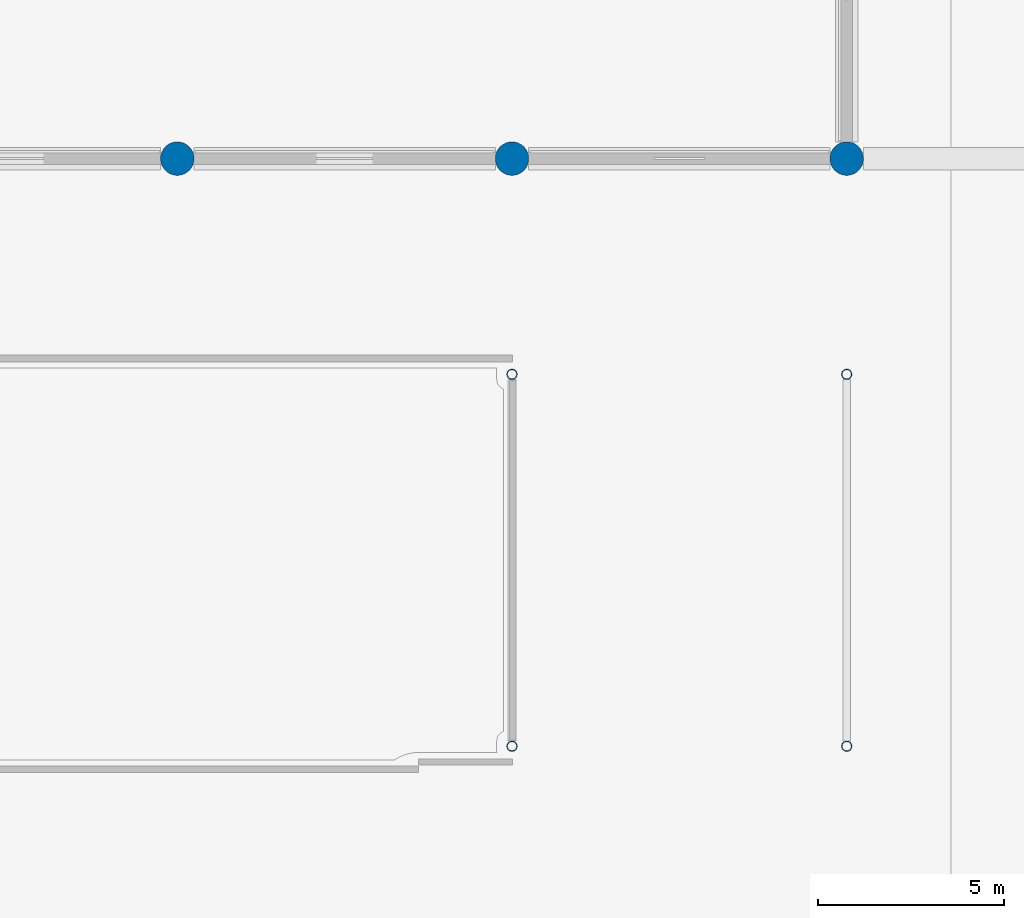
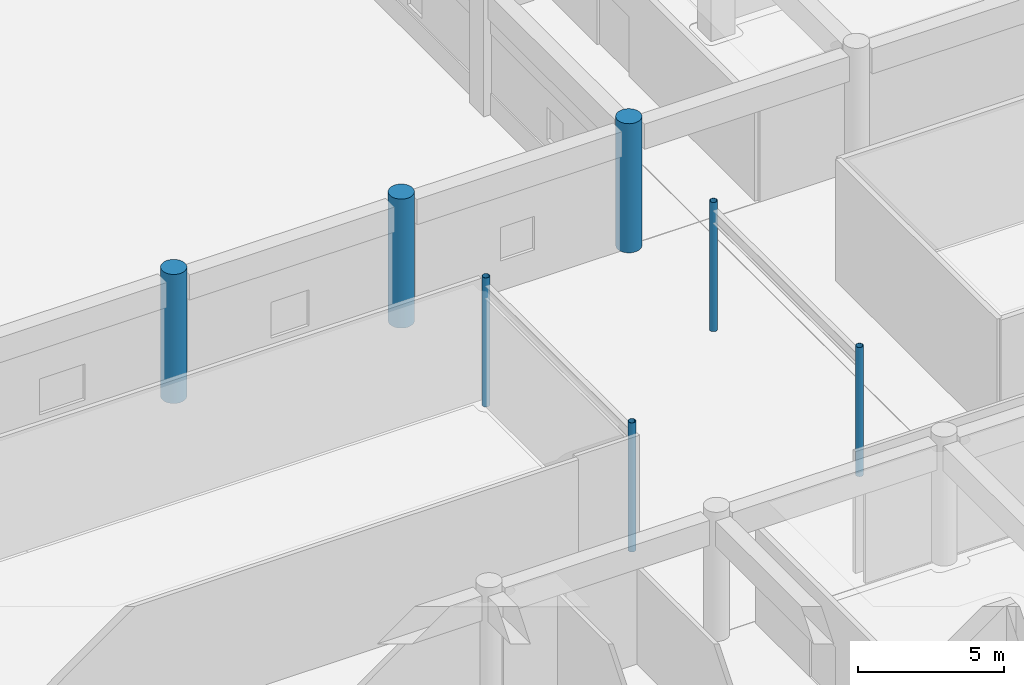
# One storey, part 7 of 74: 7 columns.
"""IFC4 building model written with IfcOpenShell, lengths in metres."""

from ifc_helpers import new_model, si_unit, direction, frame, origin, origin_2d, place, context, subcontext, project, spatial, circle, hollow_circle, extrude, material, material_profile, profile_set, type_object, element, save


model = new_model("IFC4")

# Units and contexts
model_context = context("Model", 3, precision=1e-05, world=origin(), true_north=direction((0.0, 1.0)))
body_context = subcontext(model_context, "Body", "Model", "MODEL_VIEW")
ifc_project = project(units=[si_unit("LENGTHUNIT", "METRE"), si_unit("AREAUNIT", "SQUARE_METRE"), si_unit("VOLUMEUNIT", "CUBIC_METRE"), si_unit("PLANEANGLEUNIT", "RADIAN"), si_unit("MASSUNIT", "GRAM", prefix="KILO")], contexts=[model_context])

# Site, building, storey
site_placement = place(None, origin())
site = spatial("IfcSite", under=ifc_project, at=site_placement, CompositionType="ELEMENT")
building_placement = place(site_placement, origin())
building = spatial("IfcBuilding", under=site, at=building_placement, Name="Cendralis Terraced Arcade", CompositionType="ELEMENT")
storey_placement = place(building_placement, origin())
storey = spatial("IfcBuildingStorey", under=building, at=storey_placement, Name="L00", CompositionType="ELEMENT", Elevation=0.0)

# Columns
ifc_material_1 = material(Name="Concrete f'c 42 MPa", Category="concrete")
ifc_material_profile_1 = material_profile(ifc_material_1, circle(Radius=0.449951171875, at=origin_2d()), Name="RC-COL-D900", Category="LoadBearing")
ifc_profile_set_1 = profile_set([ifc_material_profile_1], Name="Concrete f'c 42 MPa")
column_type_1 = type_object("IfcColumnType", Name="COL-D900", PredefinedType="COLUMN", material=ifc_profile_set_1)
for number, where, z_axis, x_axis, name in (
    (1, (103.199951171875, 60.0, 0.0), (0.0, 0.0, 1.0), (1.0, 0.0, 0.0), "Reinforced Concrete Column 12-G (L00)"),
    (2, (112.199951171875, 60.0, 0.0), (0.0, 0.0, 1.0), (1.0, 0.0, 0.0), "Reinforced Concrete Column 13-G (L00)"),
    (3, (121.199951171875, 60.0, 0.0), (0.0, 0.0, 1.0), (1.0, 0.0, 0.0), "Reinforced Concrete Column 14-G (L00)"),
):
    element("IfcColumn", number, at=place(storey_placement, frame(where, z_axis=z_axis, x_axis=x_axis)), inside=storey, type_object=column_type_1, Name=name, PredefinedType="COLUMN", context=body_context, shape_type="SweptSolid", body=[
        extrude(circle(Radius=0.449951171875, at=origin_2d()), origin(), (0.0, 0.0, 1.0), 5.39990234375),
    ])
ifc_material_2 = material(Name="Steel ASTM A572 Grade 50", Category="steel")
ifc_material_profile_2 = material_profile(ifc_material_2, hollow_circle(Radius=0.136474609375, WallThickness=0.010009765625, at=origin_2d()), Name="CHS273X10", Category="LoadBearing")
ifc_profile_set_2 = profile_set([ifc_material_profile_2], Name="Steel ASTM A572 Grade 50")
column_type_2 = type_object("IfcColumnType", Name="COL-STL-CHS273", PredefinedType="COLUMN", material=ifc_profile_set_2)
for number, where, z_axis, x_axis, name in (
    (4, (112.199951171875, 44.199951171875, 0.0), (0.0, 0.0, 1.0), (1.0, 0.0, 0.0), "Arcade Bridge Steel Tubular Column COL-BRG-L00-112-44"),
    (5, (121.199951171875, 44.199951171875, 0.0), (0.0, 0.0, 1.0), (1.0, 0.0, 0.0), "Arcade Bridge Steel Tubular Column COL-BRG-L00-121-44"),
    (6, (112.199951171875, 54.199951171875, 0.0), (0.0, 0.0, 1.0), (1.0, 0.0, 0.0), "Arcade Bridge Steel Tubular Column COL-BRG-L00-112-54"),
    (7, (121.199951171875, 54.199951171875, 0.0), (0.0, 0.0, 1.0), (1.0, 0.0, 0.0), "Arcade Bridge Steel Tubular Column COL-BRG-L00-121-54"),
):
    element("IfcColumn", number, at=place(storey_placement, frame(where, z_axis=z_axis, x_axis=x_axis)), inside=storey, type_object=column_type_2, Name=name, PredefinedType="COLUMN", context=body_context, shape_type="SweptSolid", body=[
        extrude(hollow_circle(Radius=0.136474609375, WallThickness=0.010009765625, at=origin_2d()), origin(), (0.0, 0.0, 1.0), 5.39990234375),
    ])

save(model, "model.ifc")
